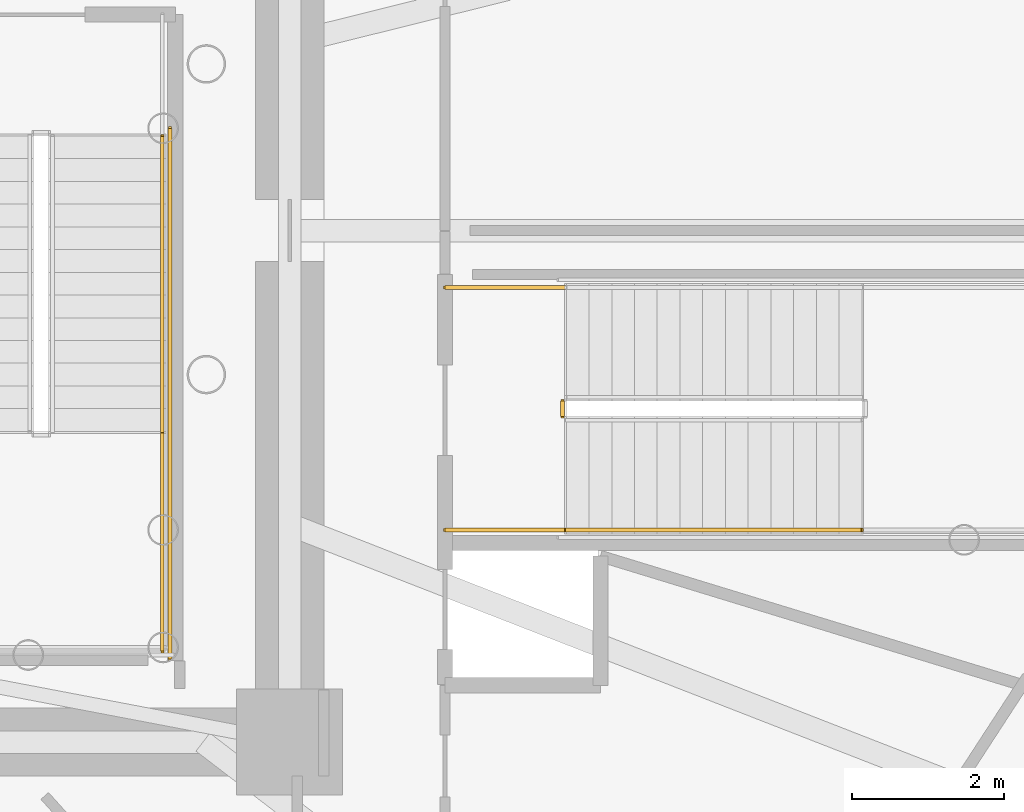
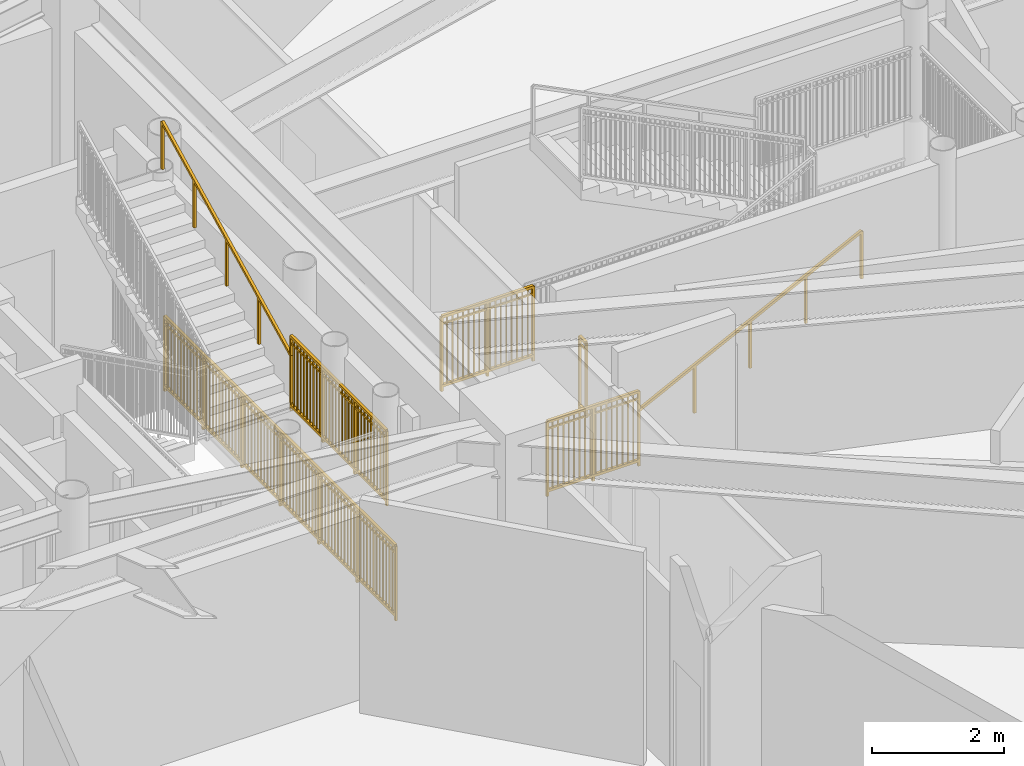
# One storey, part 32 of 35: 7 railings.
"""IFC4 building model written with IfcOpenShell, lengths in metres."""

from ifc_helpers import new_model, si_unit, direction, frame, origin, origin_2d, place, context, subcontext, project, spatial, rectangle, extrude, source, transform, mapped, material, type_object, element, save


model = new_model("IFC4")

# Units and contexts
model_context = context("Model", 3, precision=1e-05, world=origin(), true_north=direction((0.0, 1.0)))
body_context = subcontext(model_context, "Body", "Model", "MODEL_VIEW")
ifc_project = project(units=[si_unit("LENGTHUNIT", "METRE"), si_unit("AREAUNIT", "SQUARE_METRE"), si_unit("VOLUMEUNIT", "CUBIC_METRE"), si_unit("PLANEANGLEUNIT", "RADIAN"), si_unit("MASSUNIT", "GRAM", prefix="KILO")], contexts=[model_context])

# Site, building, storey
site_placement = place(None, origin())
site = spatial("IfcSite", under=ifc_project, at=site_placement, CompositionType="ELEMENT")
building_placement = place(site_placement, origin())
building = spatial("IfcBuilding", under=site, at=building_placement, Name="Linh Dai School and Residence Tower", CompositionType="ELEMENT")
storey_placement = place(building_placement, frame((0.0, 0.0, 49.199951171875)))
storey = spatial("IfcBuildingStorey", under=building, at=storey_placement, Name="L11", CompositionType="ELEMENT", Elevation=49.199951171875)

# Railings
ifc_material_1 = material(Name="Structural Steel S355JR", Category="steel")
railing_type_1 = type_object("IfcRailingType", Name="RL-ST-GUARD-1400", PredefinedType="GUARDRAIL", material=ifc_material_1)
shared_shape_1 = source(origin(), body_context, "Body", "SweptSolid", [
    extrude(rectangle(XDim=0.048095703125, YDim=0.048095703125, at=origin_2d()), frame((0.0, 0.0, 1.3759765625), z_axis=(0.0, -1.0, 0.0), x_axis=(1.0, 0.0, 0.0)), (0.0, 0.0, 1.0), 7.0),
    extrude(rectangle(XDim=0.048095703125, YDim=0.048095703125, at=origin_2d()), frame((0.0, 0.0, 0.10009765625), z_axis=(0.0, -1.0, 0.0), x_axis=(1.0, 0.0, 0.0)), (0.0, 0.0, 1.0), 7.0),
    extrude(rectangle(XDim=0.030029296875, YDim=0.030029296875, at=origin_2d()), frame((0.0, 0.0, 1.239990234375), z_axis=(0.0, -1.0, 0.0), x_axis=(1.0, 0.0, 0.0)), (0.0, 0.0, 1.0), 7.0),
    extrude(rectangle(XDim=0.02001953125, YDim=0.02001953125, at=origin_2d()), frame((0.0, -0.09716796875, 0.10009765625)), (0.0, 0.0, 1.0), 1.251708984375),
    extrude(rectangle(XDim=0.02001953125, YDim=0.02001953125, at=origin_2d()), frame((0.0, -0.1943359375, 0.10009765625)), (0.0, 0.0, 1.0), 1.251708984375),
    extrude(rectangle(XDim=0.02001953125, YDim=0.02001953125, at=origin_2d()), frame((0.0, -0.291748046875, 0.10009765625)), (0.0, 0.0, 1.0), 1.251708984375),
    extrude(rectangle(XDim=0.02001953125, YDim=0.02001953125, at=origin_2d()), frame((0.0, -0.388916015625, 0.10009765625)), (0.0, 0.0, 1.0), 1.251708984375),
    extrude(rectangle(XDim=0.02001953125, YDim=0.02001953125, at=origin_2d()), frame((0.0, -0.486083984375, 0.10009765625)), (0.0, 0.0, 1.0), 1.251708984375),
    extrude(rectangle(XDim=0.02001953125, YDim=0.02001953125, at=origin_2d()), frame((0.0, -0.583251953125, 0.10009765625)), (0.0, 0.0, 1.0), 1.251708984375),
    extrude(rectangle(XDim=0.02001953125, YDim=0.02001953125, at=origin_2d()), frame((0.0, -0.6806640625, 0.10009765625)), (0.0, 0.0, 1.0), 1.251708984375),
    extrude(rectangle(XDim=0.02001953125, YDim=0.02001953125, at=origin_2d()), frame((0.0, -0.77783203125, 0.10009765625)), (0.0, 0.0, 1.0), 1.251708984375),
    extrude(rectangle(XDim=0.02001953125, YDim=0.02001953125, at=origin_2d()), frame((0.0, -0.875, 0.10009765625)), (0.0, 0.0, 1.0), 1.251708984375),
    extrude(rectangle(XDim=0.02001953125, YDim=0.02001953125, at=origin_2d()), frame((0.0, -0.97216796875, 0.10009765625)), (0.0, 0.0, 1.0), 1.251708984375),
    extrude(rectangle(XDim=0.02001953125, YDim=0.02001953125, at=origin_2d()), frame((0.0, -1.0693359375, 0.10009765625)), (0.0, 0.0, 1.0), 1.251708984375),
    extrude(rectangle(XDim=0.02001953125, YDim=0.02001953125, at=origin_2d()), frame((0.0, -1.263916015625, 0.10009765625)), (0.0, 0.0, 1.0), 1.251708984375),
    extrude(rectangle(XDim=0.02001953125, YDim=0.02001953125, at=origin_2d()), frame((0.0, -1.361083984375, 0.10009765625)), (0.0, 0.0, 1.0), 1.251708984375),
    extrude(rectangle(XDim=0.02001953125, YDim=0.02001953125, at=origin_2d()), frame((0.0, -1.458251953125, 0.10009765625)), (0.0, 0.0, 1.0), 1.251708984375),
    extrude(rectangle(XDim=0.02001953125, YDim=0.02001953125, at=origin_2d()), frame((0.0, -1.5556640625, 0.10009765625)), (0.0, 0.0, 1.0), 1.251708984375),
    extrude(rectangle(XDim=0.02001953125, YDim=0.02001953125, at=origin_2d()), frame((0.0, -1.65283203125, 0.10009765625)), (0.0, 0.0, 1.0), 1.251708984375),
    extrude(rectangle(XDim=0.02001953125, YDim=0.02001953125, at=origin_2d()), frame((0.0, -1.75, 0.10009765625)), (0.0, 0.0, 1.0), 1.251708984375),
    extrude(rectangle(XDim=0.02001953125, YDim=0.02001953125, at=origin_2d()), frame((0.0, -1.84716796875, 0.10009765625)), (0.0, 0.0, 1.0), 1.251708984375),
    extrude(rectangle(XDim=0.02001953125, YDim=0.02001953125, at=origin_2d()), frame((0.0, -1.9443359375, 0.10009765625)), (0.0, 0.0, 1.0), 1.251708984375),
    extrude(rectangle(XDim=0.02001953125, YDim=0.02001953125, at=origin_2d()), frame((0.0, -2.041748046875, 0.10009765625)), (0.0, 0.0, 1.0), 1.251708984375),
    extrude(rectangle(XDim=0.02001953125, YDim=0.02001953125, at=origin_2d()), frame((0.0, -2.138916015625, 0.10009765625)), (0.0, 0.0, 1.0), 1.251708984375),
    extrude(rectangle(XDim=0.02001953125, YDim=0.02001953125, at=origin_2d()), frame((0.0, -2.236083984375, 0.10009765625)), (0.0, 0.0, 1.0), 1.251708984375),
    extrude(rectangle(XDim=0.02001953125, YDim=0.02001953125, at=origin_2d()), frame((0.0, -2.4306640625, 0.10009765625)), (0.0, 0.0, 1.0), 1.251708984375),
    extrude(rectangle(XDim=0.02001953125, YDim=0.02001953125, at=origin_2d()), frame((0.0, -2.52783203125, 0.10009765625)), (0.0, 0.0, 1.0), 1.251708984375),
    extrude(rectangle(XDim=0.02001953125, YDim=0.02001953125, at=origin_2d()), frame((0.0, -2.625, 0.10009765625)), (0.0, 0.0, 1.0), 1.251708984375),
    extrude(rectangle(XDim=0.02001953125, YDim=0.02001953125, at=origin_2d()), frame((0.0, -2.72216796875, 0.10009765625)), (0.0, 0.0, 1.0), 1.251708984375),
    extrude(rectangle(XDim=0.02001953125, YDim=0.02001953125, at=origin_2d()), frame((0.0, -2.8193359375, 0.10009765625)), (0.0, 0.0, 1.0), 1.251708984375),
    extrude(rectangle(XDim=0.02001953125, YDim=0.02001953125, at=origin_2d()), frame((0.0, -2.916748046875, 0.10009765625)), (0.0, 0.0, 1.0), 1.251708984375),
    extrude(rectangle(XDim=0.02001953125, YDim=0.02001953125, at=origin_2d()), frame((0.0, -3.013916015625, 0.10009765625)), (0.0, 0.0, 1.0), 1.251708984375),
    extrude(rectangle(XDim=0.02001953125, YDim=0.02001953125, at=origin_2d()), frame((0.0, -3.111083984375, 0.10009765625)), (0.0, 0.0, 1.0), 1.251708984375),
    extrude(rectangle(XDim=0.02001953125, YDim=0.02001953125, at=origin_2d()), frame((0.0, -3.208251953125, 0.10009765625)), (0.0, 0.0, 1.0), 1.251708984375),
    extrude(rectangle(XDim=0.02001953125, YDim=0.02001953125, at=origin_2d()), frame((0.0, -3.3056640625, 0.10009765625)), (0.0, 0.0, 1.0), 1.251708984375),
    extrude(rectangle(XDim=0.02001953125, YDim=0.02001953125, at=origin_2d()), frame((0.0, -3.40283203125, 0.10009765625)), (0.0, 0.0, 1.0), 1.251708984375),
    extrude(rectangle(XDim=0.02001953125, YDim=0.02001953125, at=origin_2d()), frame((0.0, -3.59716796875, 0.10009765625)), (0.0, 0.0, 1.0), 1.251708984375),
    extrude(rectangle(XDim=0.02001953125, YDim=0.02001953125, at=origin_2d()), frame((0.0, -3.6943359375, 0.10009765625)), (0.0, 0.0, 1.0), 1.251708984375),
    extrude(rectangle(XDim=0.02001953125, YDim=0.02001953125, at=origin_2d()), frame((0.0, -3.791748046875, 0.10009765625)), (0.0, 0.0, 1.0), 1.251708984375),
    extrude(rectangle(XDim=0.02001953125, YDim=0.02001953125, at=origin_2d()), frame((0.0, -3.888916015625, 0.10009765625)), (0.0, 0.0, 1.0), 1.251708984375),
    extrude(rectangle(XDim=0.02001953125, YDim=0.02001953125, at=origin_2d()), frame((0.0, -3.986083984375, 0.10009765625)), (0.0, 0.0, 1.0), 1.251708984375),
    extrude(rectangle(XDim=0.02001953125, YDim=0.02001953125, at=origin_2d()), frame((0.0, -4.083251953125, 0.10009765625)), (0.0, 0.0, 1.0), 1.251708984375),
    extrude(rectangle(XDim=0.02001953125, YDim=0.02001953125, at=origin_2d()), frame((0.0, -4.1806640625, 0.10009765625)), (0.0, 0.0, 1.0), 1.251708984375),
    extrude(rectangle(XDim=0.02001953125, YDim=0.02001953125, at=origin_2d()), frame((0.0, -4.27783203125, 0.10009765625)), (0.0, 0.0, 1.0), 1.251708984375),
    extrude(rectangle(XDim=0.02001953125, YDim=0.02001953125, at=origin_2d()), frame((0.0, -4.375, 0.10009765625)), (0.0, 0.0, 1.0), 1.251708984375),
    extrude(rectangle(XDim=0.02001953125, YDim=0.02001953125, at=origin_2d()), frame((0.0, -4.47216796875, 0.10009765625)), (0.0, 0.0, 1.0), 1.251708984375),
    extrude(rectangle(XDim=0.02001953125, YDim=0.02001953125, at=origin_2d()), frame((0.0, -4.5693359375, 0.10009765625)), (0.0, 0.0, 1.0), 1.251708984375),
    extrude(rectangle(XDim=0.02001953125, YDim=0.02001953125, at=origin_2d()), frame((0.0, -4.763916015625, 0.10009765625)), (0.0, 0.0, 1.0), 1.251708984375),
    extrude(rectangle(XDim=0.02001953125, YDim=0.02001953125, at=origin_2d()), frame((0.0, -4.861083984375, 0.10009765625)), (0.0, 0.0, 1.0), 1.251708984375),
    extrude(rectangle(XDim=0.02001953125, YDim=0.02001953125, at=origin_2d()), frame((0.0, -4.958251953125, 0.10009765625)), (0.0, 0.0, 1.0), 1.251708984375),
    extrude(rectangle(XDim=0.02001953125, YDim=0.02001953125, at=origin_2d()), frame((0.0, -5.0556640625, 0.10009765625)), (0.0, 0.0, 1.0), 1.251708984375),
    extrude(rectangle(XDim=0.02001953125, YDim=0.02001953125, at=origin_2d()), frame((0.0, -5.15283203125, 0.10009765625)), (0.0, 0.0, 1.0), 1.251708984375),
    extrude(rectangle(XDim=0.02001953125, YDim=0.02001953125, at=origin_2d()), frame((0.0, -5.25, 0.10009765625)), (0.0, 0.0, 1.0), 1.251708984375),
    extrude(rectangle(XDim=0.02001953125, YDim=0.02001953125, at=origin_2d()), frame((0.0, -5.34716796875, 0.10009765625)), (0.0, 0.0, 1.0), 1.251708984375),
    extrude(rectangle(XDim=0.02001953125, YDim=0.02001953125, at=origin_2d()), frame((0.0, -5.4443359375, 0.10009765625)), (0.0, 0.0, 1.0), 1.251708984375),
    extrude(rectangle(XDim=0.02001953125, YDim=0.02001953125, at=origin_2d()), frame((0.0, -5.541748046875, 0.10009765625)), (0.0, 0.0, 1.0), 1.251708984375),
    extrude(rectangle(XDim=0.02001953125, YDim=0.02001953125, at=origin_2d()), frame((0.0, -5.638916015625, 0.10009765625)), (0.0, 0.0, 1.0), 1.251708984375),
    extrude(rectangle(XDim=0.02001953125, YDim=0.02001953125, at=origin_2d()), frame((0.0, -5.736083984375, 0.10009765625)), (0.0, 0.0, 1.0), 1.251708984375),
    extrude(rectangle(XDim=0.02001953125, YDim=0.02001953125, at=origin_2d()), frame((0.0, -5.9306640625, 0.10009765625)), (0.0, 0.0, 1.0), 1.251708984375),
    extrude(rectangle(XDim=0.02001953125, YDim=0.02001953125, at=origin_2d()), frame((0.0, -6.02783203125, 0.10009765625)), (0.0, 0.0, 1.0), 1.251708984375),
    extrude(rectangle(XDim=0.02001953125, YDim=0.02001953125, at=origin_2d()), frame((0.0, -6.125, 0.10009765625)), (0.0, 0.0, 1.0), 1.251708984375),
    extrude(rectangle(XDim=0.02001953125, YDim=0.02001953125, at=origin_2d()), frame((0.0, -6.22216796875, 0.10009765625)), (0.0, 0.0, 1.0), 1.251708984375),
    extrude(rectangle(XDim=0.02001953125, YDim=0.02001953125, at=origin_2d()), frame((0.0, -6.3193359375, 0.10009765625)), (0.0, 0.0, 1.0), 1.251708984375),
    extrude(rectangle(XDim=0.02001953125, YDim=0.02001953125, at=origin_2d()), frame((0.0, -6.416748046875, 0.10009765625)), (0.0, 0.0, 1.0), 1.251708984375),
    extrude(rectangle(XDim=0.02001953125, YDim=0.02001953125, at=origin_2d()), frame((0.0, -6.513916015625, 0.10009765625)), (0.0, 0.0, 1.0), 1.251708984375),
    extrude(rectangle(XDim=0.02001953125, YDim=0.02001953125, at=origin_2d()), frame((0.0, -6.611083984375, 0.10009765625)), (0.0, 0.0, 1.0), 1.251708984375),
    extrude(rectangle(XDim=0.02001953125, YDim=0.02001953125, at=origin_2d()), frame((0.0, -6.708251953125, 0.10009765625)), (0.0, 0.0, 1.0), 1.251708984375),
    extrude(rectangle(XDim=0.02001953125, YDim=0.02001953125, at=origin_2d()), frame((0.0, -6.8056640625, 0.10009765625)), (0.0, 0.0, 1.0), 1.251708984375),
    extrude(rectangle(XDim=0.02001953125, YDim=0.02001953125, at=origin_2d()), frame((0.0, -6.90283203125, 0.10009765625)), (0.0, 0.0, 1.0), 1.251708984375),
    extrude(rectangle(XDim=0.0419921875, YDim=0.0419921875, at=origin_2d()), origin(), (0.0, 0.0, 1.0), 1.3759765625),
    extrude(rectangle(XDim=0.0419921875, YDim=0.0419921875, at=origin_2d()), frame((0.0, -1.166748046875, 0.0)), (0.0, 0.0, 1.0), 1.3759765625),
    extrude(rectangle(XDim=0.0419921875, YDim=0.0419921875, at=origin_2d()), frame((0.0, -2.333251953125, 0.0)), (0.0, 0.0, 1.0), 1.3759765625),
    extrude(rectangle(XDim=0.0419921875, YDim=0.0419921875, at=origin_2d()), frame((0.0, -3.5, 0.0)), (0.0, 0.0, 1.0), 1.3759765625),
    extrude(rectangle(XDim=0.0419921875, YDim=0.0419921875, at=origin_2d()), frame((0.0, -4.666748046875, 0.0)), (0.0, 0.0, 1.0), 1.3759765625),
    extrude(rectangle(XDim=0.0419921875, YDim=0.0419921875, at=origin_2d()), frame((0.0, -5.833251953125, 0.0)), (0.0, 0.0, 1.0), 1.3759765625),
    extrude(rectangle(XDim=0.0419921875, YDim=0.0419921875, at=origin_2d()), frame((0.0, -7.0, 0.0)), (0.0, 0.0, 1.0), 1.3759765625),
])
railing_1_placement = place(storey_placement, frame((44.3701171875, 28.35009765625, 0.0)))
element("IfcRailing", 1, at=railing_1_placement, inside=storey, type_object=railing_type_1, Name="L11 ST2 stair guard 11", PredefinedType="GUARDRAIL", context=body_context, shape_type="MappedRepresentation", body=[
    mapped(shared_shape_1, transform((0.0, 0.0, 0.0), x_axis=(1.0, 0.0, 0.0), y_axis=(0.0, 1.0, 0.0), z_axis=(0.0, 0.0, 1.0), scale=1.0)),
])
shared_shape_2 = source(origin(), body_context, "Body", "SweptSolid", [
    extrude(rectangle(XDim=0.048095703125, YDim=0.048095703125, at=origin_2d()), frame((0.0, 0.0, 1.3759765625), z_axis=(0.0, -1.0, 0.0), x_axis=(1.0, 0.0, 0.0)), (0.0, 0.0, 1.0), 2.900146484375),
    extrude(rectangle(XDim=0.048095703125, YDim=0.048095703125, at=origin_2d()), frame((0.0, 0.0, 0.10009765625), z_axis=(0.0, -1.0, 0.0), x_axis=(1.0, 0.0, 0.0)), (0.0, 0.0, 1.0), 2.900146484375),
    extrude(rectangle(XDim=0.030029296875, YDim=0.030029296875, at=origin_2d()), frame((0.0, 0.0, 1.239990234375), z_axis=(0.0, -1.0, 0.0), x_axis=(1.0, 0.0, 0.0)), (0.0, 0.0, 1.0), 2.900146484375),
    extrude(rectangle(XDim=0.02001953125, YDim=0.02001953125, at=origin_2d()), frame((0.0, -0.0966796875, 0.10009765625)), (0.0, 0.0, 1.0), 1.251708984375),
    extrude(rectangle(XDim=0.02001953125, YDim=0.02001953125, at=origin_2d()), frame((0.0, -0.193359375, 0.10009765625)), (0.0, 0.0, 1.0), 1.251708984375),
    extrude(rectangle(XDim=0.02001953125, YDim=0.02001953125, at=origin_2d()), frame((0.0, -0.2900390625, 0.10009765625)), (0.0, 0.0, 1.0), 1.251708984375),
    extrude(rectangle(XDim=0.02001953125, YDim=0.02001953125, at=origin_2d()), frame((0.0, -0.38671875, 0.10009765625)), (0.0, 0.0, 1.0), 1.251708984375),
    extrude(rectangle(XDim=0.02001953125, YDim=0.02001953125, at=origin_2d()), frame((0.0, -0.4833984375, 0.10009765625)), (0.0, 0.0, 1.0), 1.251708984375),
    extrude(rectangle(XDim=0.02001953125, YDim=0.02001953125, at=origin_2d()), frame((0.0, -0.580078125, 0.10009765625)), (0.0, 0.0, 1.0), 1.251708984375),
    extrude(rectangle(XDim=0.02001953125, YDim=0.02001953125, at=origin_2d()), frame((0.0, -0.6767578125, 0.10009765625)), (0.0, 0.0, 1.0), 1.251708984375),
    extrude(rectangle(XDim=0.02001953125, YDim=0.02001953125, at=origin_2d()), frame((0.0, -0.7734375, 0.10009765625)), (0.0, 0.0, 1.0), 1.251708984375),
    extrude(rectangle(XDim=0.02001953125, YDim=0.02001953125, at=origin_2d()), frame((0.0, -0.8701171875, 0.10009765625)), (0.0, 0.0, 1.0), 1.251708984375),
    extrude(rectangle(XDim=0.02001953125, YDim=0.02001953125, at=origin_2d()), frame((0.0, -1.0634765625, 0.10009765625)), (0.0, 0.0, 1.0), 1.251708984375),
    extrude(rectangle(XDim=0.02001953125, YDim=0.02001953125, at=origin_2d()), frame((0.0, -1.16015625, 0.10009765625)), (0.0, 0.0, 1.0), 1.251708984375),
    extrude(rectangle(XDim=0.02001953125, YDim=0.02001953125, at=origin_2d()), frame((0.0, -1.2568359375, 0.10009765625)), (0.0, 0.0, 1.0), 1.251708984375),
    extrude(rectangle(XDim=0.02001953125, YDim=0.02001953125, at=origin_2d()), frame((0.0, -1.353515625, 0.10009765625)), (0.0, 0.0, 1.0), 1.251708984375),
    extrude(rectangle(XDim=0.02001953125, YDim=0.02001953125, at=origin_2d()), frame((0.0, -1.4501953125, 0.10009765625)), (0.0, 0.0, 1.0), 1.251708984375),
    extrude(rectangle(XDim=0.02001953125, YDim=0.02001953125, at=origin_2d()), frame((0.0, -1.546630859375, 0.10009765625)), (0.0, 0.0, 1.0), 1.251708984375),
    extrude(rectangle(XDim=0.02001953125, YDim=0.02001953125, at=origin_2d()), frame((0.0, -1.643310546875, 0.10009765625)), (0.0, 0.0, 1.0), 1.251708984375),
    extrude(rectangle(XDim=0.02001953125, YDim=0.02001953125, at=origin_2d()), frame((0.0, -1.739990234375, 0.10009765625)), (0.0, 0.0, 1.0), 1.251708984375),
    extrude(rectangle(XDim=0.02001953125, YDim=0.02001953125, at=origin_2d()), frame((0.0, -1.836669921875, 0.10009765625)), (0.0, 0.0, 1.0), 1.251708984375),
    extrude(rectangle(XDim=0.02001953125, YDim=0.02001953125, at=origin_2d()), frame((0.0, -2.030029296875, 0.10009765625)), (0.0, 0.0, 1.0), 1.251708984375),
    extrude(rectangle(XDim=0.02001953125, YDim=0.02001953125, at=origin_2d()), frame((0.0, -2.126708984375, 0.10009765625)), (0.0, 0.0, 1.0), 1.251708984375),
    extrude(rectangle(XDim=0.02001953125, YDim=0.02001953125, at=origin_2d()), frame((0.0, -2.223388671875, 0.10009765625)), (0.0, 0.0, 1.0), 1.251708984375),
    extrude(rectangle(XDim=0.02001953125, YDim=0.02001953125, at=origin_2d()), frame((0.0, -2.320068359375, 0.10009765625)), (0.0, 0.0, 1.0), 1.251708984375),
    extrude(rectangle(XDim=0.02001953125, YDim=0.02001953125, at=origin_2d()), frame((0.0, -2.416748046875, 0.10009765625)), (0.0, 0.0, 1.0), 1.251708984375),
    extrude(rectangle(XDim=0.02001953125, YDim=0.02001953125, at=origin_2d()), frame((0.0, -2.513427734375, 0.10009765625)), (0.0, 0.0, 1.0), 1.251708984375),
    extrude(rectangle(XDim=0.02001953125, YDim=0.02001953125, at=origin_2d()), frame((0.0, -2.610107421875, 0.10009765625)), (0.0, 0.0, 1.0), 1.251708984375),
    extrude(rectangle(XDim=0.02001953125, YDim=0.02001953125, at=origin_2d()), frame((0.0, -2.706787109375, 0.10009765625)), (0.0, 0.0, 1.0), 1.251708984375),
    extrude(rectangle(XDim=0.02001953125, YDim=0.02001953125, at=origin_2d()), frame((0.0, -2.803466796875, 0.10009765625)), (0.0, 0.0, 1.0), 1.251708984375),
    extrude(rectangle(XDim=0.0419921875, YDim=0.0419921875, at=origin_2d()), origin(), (0.0, 0.0, 1.0), 1.3759765625),
    extrude(rectangle(XDim=0.0419921875, YDim=0.0419921875, at=origin_2d()), frame((0.0, -0.966796875, 0.0)), (0.0, 0.0, 1.0), 1.3759765625),
    extrude(rectangle(XDim=0.0419921875, YDim=0.0419921875, at=origin_2d()), frame((0.0, -1.933349609375, 0.0)), (0.0, 0.0, 1.0), 1.3759765625),
    extrude(rectangle(XDim=0.0419921875, YDim=0.0419921875, at=origin_2d()), frame((0.0, -2.900146484375, 0.0)), (0.0, 0.0, 1.0), 1.3759765625),
])
railing_2_placement = place(storey_placement, frame((44.27001953125, 24.35009765625, 2.10009765625)))
element("IfcRailing", 2, at=railing_2_placement, inside=storey, type_object=railing_type_1, Name="L11 ST2 stair guard 4", PredefinedType="GUARDRAIL", context=body_context, shape_type="MappedRepresentation", body=[
    mapped(shared_shape_2, transform((0.0, 0.0, 0.0), x_axis=(1.0, 0.0, 0.0), y_axis=(0.0, 1.0, 0.0), z_axis=(0.0, 0.0, 1.0), scale=1.0)),
])
ifc_material_2 = material(Name="Brushed Stainless Steel Handrail", Category="steel")
railing_type_2 = type_object("IfcRailingType", Name="RL-ST-HANDRAIL-900", PredefinedType="HANDRAIL", material=ifc_material_2)
shared_shape_3 = source(origin(), body_context, "Body", "SweptSolid", [
    extrude(rectangle(XDim=0.048095703125, YDim=0.048095703125, at=origin_2d()), frame((0.0, 0.0, 0.8759765625), z_axis=(0.0, 0.894427191, 0.4472135955), x_axis=(-1.0, 0.0, 0.0)), (0.0, 0.0, 1.0), 4.360107421875),
    extrude(rectangle(XDim=0.0419921875, YDim=0.0419921875, at=origin_2d()), origin(), (0.0, 0.0, 1.0), 0.8759765625),
    extrude(rectangle(XDim=0.0419921875, YDim=0.0419921875, at=origin_2d()), frame((0.0, 0.97509765625, 0.487548828125)), (0.0, 0.0, 1.0), 0.8759765625),
    extrude(rectangle(XDim=0.0419921875, YDim=0.0419921875, at=origin_2d()), frame((0.0, 1.949951171875, 0.97509765625)), (0.0, 0.0, 1.0), 0.8759765625),
    extrude(rectangle(XDim=0.0419921875, YDim=0.0419921875, at=origin_2d()), frame((0.0, 2.9248046875, 1.46240234375)), (0.0, 0.0, 1.0), 0.8759765625),
    extrude(rectangle(XDim=0.0419921875, YDim=0.0419921875, at=origin_2d()), frame((0.0, 3.89990234375, 1.949951171875)), (0.0, 0.0, 1.0), 0.8759765625),
])
railing_3_placement = place(storey_placement, frame((44.27001953125, 24.35009765625, 2.25)))
element("IfcRailing", 3, at=railing_3_placement, inside=storey, type_object=railing_type_2, Name="L11 ST2 stair handrail 2", PredefinedType="HANDRAIL", context=body_context, shape_type="MappedRepresentation", body=[
    mapped(shared_shape_3, transform((0.0, 0.0, 0.0), x_axis=(1.0, 0.0, 0.0), y_axis=(0.0, 1.0, 0.0), z_axis=(0.0, 0.0, 1.0), scale=1.0)),
])
shared_shape_4 = source(origin(), body_context, "Body", "SweptSolid", [
    extrude(rectangle(XDim=0.048095703125, YDim=0.048095703125, at=origin_2d()), frame((0.0, 0.0, 0.8759765625), z_axis=(0.894427191, 0.0, 0.4472135955), x_axis=(0.0, 1.0, 0.0)), (0.0, 0.0, 1.0), 4.360107421875),
    extrude(rectangle(XDim=0.0419921875, YDim=0.0419921875, at=origin_2d()), origin(), (0.0, 0.0, 1.0), 0.8759765625),
    extrude(rectangle(XDim=0.0419921875, YDim=0.0419921875, at=origin_2d()), frame((0.97509765625, 0.0, 0.487548828125)), (0.0, 0.0, 1.0), 0.8759765625),
    extrude(rectangle(XDim=0.0419921875, YDim=0.0419921875, at=origin_2d()), frame((1.949951171875, 0.0, 0.97509765625)), (0.0, 0.0, 1.0), 0.8759765625),
    extrude(rectangle(XDim=0.0419921875, YDim=0.0419921875, at=origin_2d()), frame((2.9248046875, 0.0, 1.46240234375)), (0.0, 0.0, 1.0), 0.8759765625),
    extrude(rectangle(XDim=0.0419921875, YDim=0.0419921875, at=origin_2d()), frame((3.89990234375, 0.0, 1.949951171875)), (0.0, 0.0, 1.0), 0.8759765625),
])
railing_4_placement = place(storey_placement, frame((49.60009765625, 23.050048828125, 0.150146484375)))
element("IfcRailing", 4, at=railing_4_placement, inside=storey, type_object=railing_type_2, Name="L11 STS2 stair handrail 1", PredefinedType="HANDRAIL", context=body_context, shape_type="MappedRepresentation", body=[
    mapped(shared_shape_4, transform((0.0, 0.0, 0.0), x_axis=(1.0, 0.0, 0.0), y_axis=(0.0, 1.0, 0.0), z_axis=(0.0, 0.0, 1.0), scale=1.0)),
])
shared_shape_5 = source(origin(), body_context, "Body", "SweptSolid", [
    extrude(rectangle(XDim=0.048095703125, YDim=0.048095703125, at=origin_2d()), frame((0.0, 0.0, 1.3759765625), z_axis=(0.0, 1.0, 0.0), x_axis=(-1.0, 0.0, 0.0)), (0.0, 0.0, 1.0), 0.199951171875),
    extrude(rectangle(XDim=0.048095703125, YDim=0.048095703125, at=origin_2d()), frame((0.0, 0.0, 0.10009765625), z_axis=(0.0, 1.0, 0.0), x_axis=(-1.0, 0.0, 0.0)), (0.0, 0.0, 1.0), 0.199951171875),
    extrude(rectangle(XDim=0.030029296875, YDim=0.030029296875, at=origin_2d()), frame((0.0, 0.0, 1.239990234375), z_axis=(0.0, 1.0, 0.0), x_axis=(-1.0, 0.0, 0.0)), (0.0, 0.0, 1.0), 0.199951171875),
    extrude(rectangle(XDim=0.0419921875, YDim=0.0419921875, at=origin_2d()), origin(), (0.0, 0.0, 1.0), 1.3759765625),
    extrude(rectangle(XDim=0.0419921875, YDim=0.0419921875, at=origin_2d()), frame((0.0, 0.199951171875, 0.0)), (0.0, 0.0, 1.0), 1.3759765625),
])
railing_5_placement = place(storey_placement, frame((49.550048828125, 24.550048828125, 0.0)))
element("IfcRailing", 5, at=railing_5_placement, inside=storey, type_object=railing_type_1, Name="L11 STS2 stair guard 7", PredefinedType="GUARDRAIL", context=body_context, shape_type="MappedRepresentation", body=[
    mapped(shared_shape_5, transform((0.0, 0.0, 0.0), x_axis=(1.0, 0.0, 0.0), y_axis=(0.0, 1.0, 0.0), z_axis=(0.0, 0.0, 1.0), scale=1.0)),
])
shared_shape_6 = source(origin(), body_context, "Body", "SweptSolid", [
    extrude(rectangle(XDim=0.048095703125, YDim=0.048095703125, at=origin_2d()), frame((0.0, 0.0, 1.3759765625), z_axis=(1.0, 0.0, 0.0), x_axis=(0.0, 1.0, 0.0)), (0.0, 0.0, 1.0), 1.60009765625),
    extrude(rectangle(XDim=0.048095703125, YDim=0.048095703125, at=origin_2d()), frame((0.0, 0.0, 0.10009765625), z_axis=(1.0, 0.0, 0.0), x_axis=(0.0, 1.0, 0.0)), (0.0, 0.0, 1.0), 1.60009765625),
    extrude(rectangle(XDim=0.030029296875, YDim=0.030029296875, at=origin_2d()), frame((0.0, 0.0, 1.239990234375), z_axis=(1.0, 0.0, 0.0), x_axis=(0.0, 1.0, 0.0)), (0.0, 0.0, 1.0), 1.60009765625),
    extrude(rectangle(XDim=0.02001953125, YDim=0.02001953125, at=origin_2d()), frame((0.09423828125, 0.0, 0.10009765625)), (0.0, 0.0, 1.0), 1.251708984375),
    extrude(rectangle(XDim=0.02001953125, YDim=0.02001953125, at=origin_2d()), frame((0.188232421875, 0.0, 0.10009765625)), (0.0, 0.0, 1.0), 1.251708984375),
    extrude(rectangle(XDim=0.02001953125, YDim=0.02001953125, at=origin_2d()), frame((0.282470703125, 0.0, 0.10009765625)), (0.0, 0.0, 1.0), 1.251708984375),
    extrude(rectangle(XDim=0.02001953125, YDim=0.02001953125, at=origin_2d()), frame((0.37646484375, 0.0, 0.10009765625)), (0.0, 0.0, 1.0), 1.251708984375),
    extrude(rectangle(XDim=0.02001953125, YDim=0.02001953125, at=origin_2d()), frame((0.470703125, 0.0, 0.10009765625)), (0.0, 0.0, 1.0), 1.251708984375),
    extrude(rectangle(XDim=0.02001953125, YDim=0.02001953125, at=origin_2d()), frame((0.564697265625, 0.0, 0.10009765625)), (0.0, 0.0, 1.0), 1.251708984375),
    extrude(rectangle(XDim=0.02001953125, YDim=0.02001953125, at=origin_2d()), frame((0.658935546875, 0.0, 0.10009765625)), (0.0, 0.0, 1.0), 1.251708984375),
    extrude(rectangle(XDim=0.02001953125, YDim=0.02001953125, at=origin_2d()), frame((0.7529296875, 0.0, 0.10009765625)), (0.0, 0.0, 1.0), 1.251708984375),
    extrude(rectangle(XDim=0.02001953125, YDim=0.02001953125, at=origin_2d()), frame((0.84716796875, 0.0, 0.10009765625)), (0.0, 0.0, 1.0), 1.251708984375),
    extrude(rectangle(XDim=0.02001953125, YDim=0.02001953125, at=origin_2d()), frame((0.941162109375, 0.0, 0.10009765625)), (0.0, 0.0, 1.0), 1.251708984375),
    extrude(rectangle(XDim=0.02001953125, YDim=0.02001953125, at=origin_2d()), frame((1.035400390625, 0.0, 0.10009765625)), (0.0, 0.0, 1.0), 1.251708984375),
    extrude(rectangle(XDim=0.02001953125, YDim=0.02001953125, at=origin_2d()), frame((1.12939453125, 0.0, 0.10009765625)), (0.0, 0.0, 1.0), 1.251708984375),
    extrude(rectangle(XDim=0.02001953125, YDim=0.02001953125, at=origin_2d()), frame((1.2236328125, 0.0, 0.10009765625)), (0.0, 0.0, 1.0), 1.251708984375),
    extrude(rectangle(XDim=0.02001953125, YDim=0.02001953125, at=origin_2d()), frame((1.317626953125, 0.0, 0.10009765625)), (0.0, 0.0, 1.0), 1.251708984375),
    extrude(rectangle(XDim=0.02001953125, YDim=0.02001953125, at=origin_2d()), frame((1.411865234375, 0.0, 0.10009765625)), (0.0, 0.0, 1.0), 1.251708984375),
    extrude(rectangle(XDim=0.02001953125, YDim=0.02001953125, at=origin_2d()), frame((1.505859375, 0.0, 0.10009765625)), (0.0, 0.0, 1.0), 1.251708984375),
    extrude(rectangle(XDim=0.0419921875, YDim=0.0419921875, at=origin_2d()), origin(), (0.0, 0.0, 1.0), 1.3759765625),
    extrude(rectangle(XDim=0.0419921875, YDim=0.0419921875, at=origin_2d()), frame((0.800048828125, 0.0, 0.0)), (0.0, 0.0, 1.0), 1.3759765625),
    extrude(rectangle(XDim=0.0419921875, YDim=0.0419921875, at=origin_2d()), frame((1.60009765625, 0.0, 0.0)), (0.0, 0.0, 1.0), 1.3759765625),
])
for number, where, name in (
    (6, (48.0, 23.050048828125, 0.0), "L11 STS2 stair guard 8"),
    (7, (48.0, 26.25, 0.0), "L11 STS2 stair guard 9"),
):
    element("IfcRailing", number, at=place(storey_placement, frame(where)), inside=storey, type_object=railing_type_1, Name=name, PredefinedType="GUARDRAIL", context=body_context, shape_type="MappedRepresentation", body=[
        mapped(shared_shape_6, transform((0.0, 0.0, 0.0), x_axis=(1.0, 0.0, 0.0), y_axis=(0.0, 1.0, 0.0), z_axis=(0.0, 0.0, 1.0), scale=1.0)),
    ])

save(model, "model.ifc")
